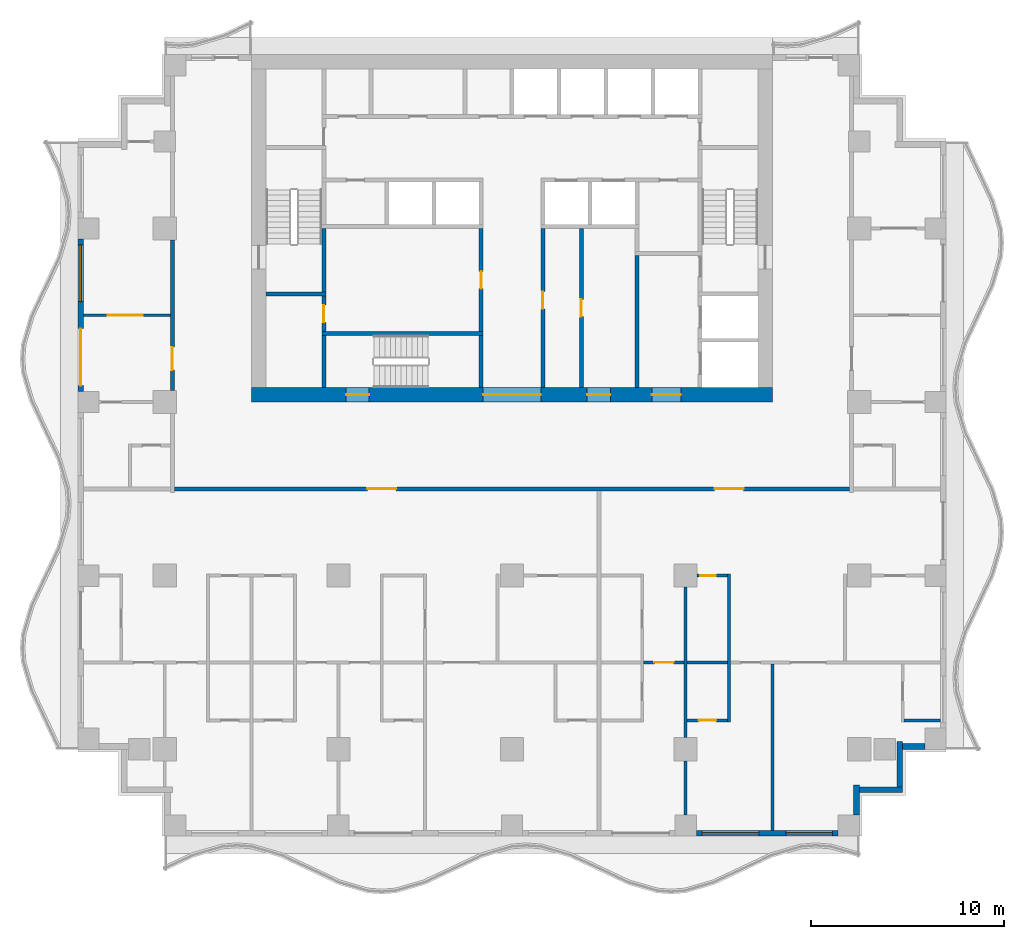
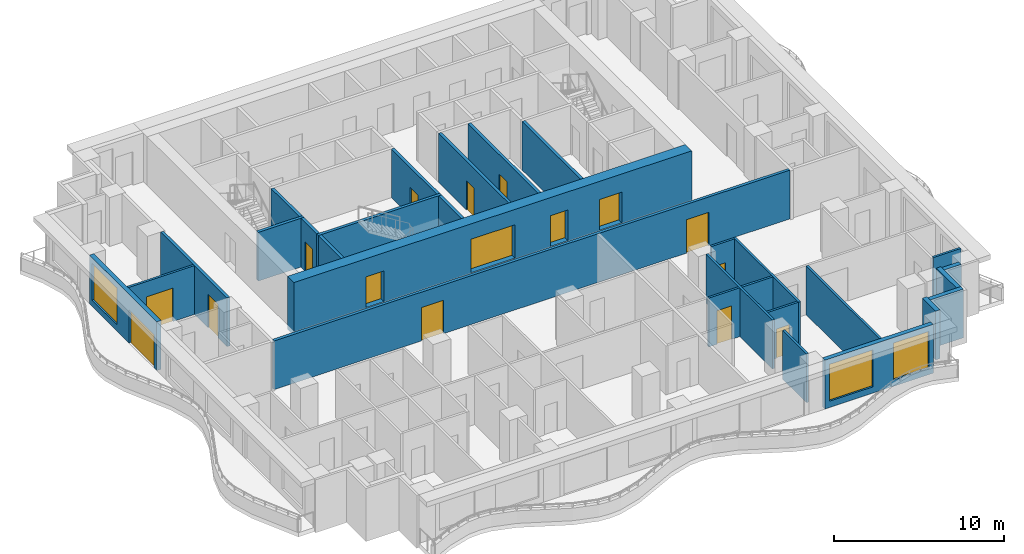
# One storey, part 3 of 10: 29 walls, 16 doors, 3 windows, 19 openings.
"""IFC4 building model written with IfcOpenShell, lengths in metres."""

import ifcopenshell
import ifcopenshell.guid

model = None  # the IFC model being written
_history = None  # IfcOwnerHistory: only IFC2X3 demands one
_inside = {}  # id of a spatial element -> (the spatial element, [elements in it])
_under = {}  # id of a project, library or spatial element -> (it, [spatial elements below it])
_declared = {}  # id of a project -> (the project, [libraries it declares])
_typed = {}  # id of a type object -> (the type object, [elements of that type])
_made_of = {}  # id of a material, layer set ... -> (it, [elements and type objects made of it])


def new_model(schema):
    """Start an empty IFC model of exactly this schema.

    Asked for "IFC4X3", IfcOpenShell would pick the latest addendum, in which some entities
    have other attributes; the version numbers below select the first issue.
    IFC2X3 requires an IfcOwnerHistory on every rooted entity: one is made here for all.
    """
    global model, _history
    if schema == "IFC4X3":
        model = ifcopenshell.file(schema_version=(4, 3, 0, 0))
    else:
        model = ifcopenshell.file(schema=schema)
    _inside.clear()
    _under.clear()
    _declared.clear()
    _typed.clear()
    _made_of.clear()
    _history = None
    if model.schema == "IFC2X3":
        org = make("IfcOrganization", Name="unknown")
        user = make(
            "IfcPersonAndOrganization",
            ThePerson=make("IfcPerson", FamilyName="unknown"),
            TheOrganization=org,
        )
        app = make(
            "IfcApplication",
            ApplicationDeveloper=org,
            Version="unknown",
            ApplicationFullName="unknown",
            ApplicationIdentifier="unknown",
        )
        _history = make(
            "IfcOwnerHistory",
            OwningUser=user,
            OwningApplication=app,
            ChangeAction="ADDED",
            CreationDate=0,
        )
    return model


def make(cls, **values):
    """One entity of the class cls with the attributes given. An attribute that is None is left unset."""
    return model.create_entity(
        cls, **{name: value for name, value in values.items() if value is not None}
    )


def rooted(cls, **values):
    """An entity with a GlobalId (a new one), such as an element, a storey or a relation."""
    return make(cls, GlobalId=ifcopenshell.guid.new(), OwnerHistory=_history, **values)


def si_unit(unit_type, name, prefix=None):
    """IfcSIUnit, for example si_unit("LENGTHUNIT", "METRE", prefix="MILLI")."""
    return make("IfcSIUnit", UnitType=unit_type, Prefix=prefix, Name=name)


def assignment(units):
    """IfcUnitAssignment: the units of a project."""
    return None if units is None else make("IfcUnitAssignment", Units=units)


def point(xyz):
    """IfcCartesianPoint."""
    return None if xyz is None else make("IfcCartesianPoint", Coordinates=xyz)


def direction(xyz):
    """IfcDirection."""
    return None if xyz is None else make("IfcDirection", DirectionRatios=xyz)


def frame(location, z_axis=None, x_axis=None):
    """IfcAxis2Placement3D, a coordinate frame: its origin and axes. An axis left out is left unset."""
    return make(
        "IfcAxis2Placement3D",
        Location=point(location),
        Axis=direction(z_axis),
        RefDirection=direction(x_axis),
    )


def frame_2d(location, x_axis=None):
    """IfcAxis2Placement2D, a coordinate frame in the plane: its origin and x axis."""
    return make(
        "IfcAxis2Placement2D", Location=point(location), RefDirection=direction(x_axis)
    )


def origin():
    """The frame at (0, 0, 0) with its axes left unset."""
    return frame((0.0, 0.0, 0.0))


def place(relative_to, where):
    """IfcLocalPlacement: puts the frame where relative to a parent placement (None: the world)."""
    return make(
        "IfcLocalPlacement", PlacementRelTo=relative_to, RelativePlacement=where
    )


def context(
    kind, dimensions, precision=None, world=None, true_north=None, identifier=None
):
    """IfcGeometricRepresentationContext, for example the 3D "Model" context."""
    return make(
        "IfcGeometricRepresentationContext",
        ContextIdentifier=identifier,
        ContextType=kind,
        CoordinateSpaceDimension=dimensions,
        Precision=precision,
        WorldCoordinateSystem=world,
        TrueNorth=true_north,
    )


def subcontext(parent, identifier, kind, view, scale=None):
    """IfcGeometricRepresentationSubContext, for example "Body" below "Model"."""
    return make(
        "IfcGeometricRepresentationSubContext",
        ContextIdentifier=identifier,
        ContextType=kind,
        ParentContext=parent,
        TargetScale=scale,
        TargetView=view,
    )


def project(units=None, contexts=None):
    """IfcProject with its units and contexts."""
    return rooted(
        "IfcProject",
        Name="project",
        RepresentationContexts=contexts,
        UnitsInContext=assignment(units),
    )


def spatial(cls, under=None, at=None, **own):
    """A site, building, storey or space (cls), placed at a placement, below another one or the project."""
    s = rooted(cls, ObjectPlacement=at, **own)
    if under is not None:
        _under.setdefault(under.id(), (under, []))[1].append(s)
    return s


def profile(cls, at=None, kind="AREA", **sizes):
    """A parametric profile (cls). Its sizes go by their IFC names, for example OverallWidth=200.0."""
    return make(cls, ProfileType=kind, Position=at, **sizes)


def rectangle(**sizes):
    """IfcRectangleProfileDef."""
    return profile("IfcRectangleProfileDef", **sizes)


def extrude(swept, where, along, depth):
    """IfcExtrudedAreaSolid: the profile swept, set in the frame where, extruded along a direction by depth."""
    return make(
        "IfcExtrudedAreaSolid",
        SweptArea=swept,
        Position=where,
        ExtrudedDirection=direction(along),
        Depth=depth,
    )


def shape(context_of_items, identifier, shape_type, items):
    """IfcShapeRepresentation: the items that make up one representation, for example the "Body"."""
    return make(
        "IfcShapeRepresentation",
        ContextOfItems=context_of_items,
        RepresentationIdentifier=identifier,
        RepresentationType=shape_type,
        Items=items,
    )


def material(Name=None, Category=None):
    """IfcMaterial."""
    return make("IfcMaterial", Name=Name, Category=Category)


def layer(
    of_material, thickness, ventilated=None, Name=None, Category=None, Priority=None
):
    """IfcMaterialLayer: one layer of a wall or slab, of a material (None: an air gap)."""
    return make(
        "IfcMaterialLayer",
        Material=of_material,
        LayerThickness=thickness,
        IsVentilated=ventilated,
        Name=Name,
        Category=Category,
        Priority=Priority,
    )


def layer_set(layers, Name=None):
    """IfcMaterialLayerSet."""
    return make("IfcMaterialLayerSet", MaterialLayers=layers, LayerSetName=Name)


def made_of(thing, what):
    """Note that an element or type object is made of a material, layer set ...; save() writes the relation."""
    if what is not None:
        _made_of.setdefault(what.id(), (what, []))[1].append(thing)
    return thing


def type_object(cls, material=None, **own):
    """A type object (cls), such as IfcWallType, which elements share."""
    return made_of(rooted(cls, **own), material)


def element(
    cls,
    number,
    at=None,
    inside=None,
    cuts=None,
    type_object=None,
    material=None,
    context=None,
    identifier="Body",
    shape_type=None,
    held_by="IfcProductDefinitionShape",
    body=None,
    shapes=None,
    **own,
):
    """One element of the class cls, such as IfcWall. Its Tag is "e" and its number.

    at: its placement. inside: the storey or other place that contains it. cuts: it is an
    opening in that element (IfcRelVoidsElement). A single representation is given by context,
    identifier, shape_type and body (its items); several are given by shapes. held_by: the class
    of the entity that holds the representations. save() writes the other relations.
    """
    e = rooted(cls, Tag="e%d" % number, ObjectPlacement=at, **own)
    if body is not None:
        shapes = [shape(context, identifier, shape_type, body)]
    if shapes is not None:
        e.Representation = make(held_by, Representations=shapes)
    if inside is not None:
        _inside.setdefault(inside.id(), (inside, []))[1].append(e)
    if cuts is not None:
        rooted(
            "IfcRelVoidsElement", RelatingBuildingElement=cuts, RelatedOpeningElement=e
        )
    if type_object is not None:
        _typed.setdefault(type_object.id(), (type_object, []))[1].append(e)
    return made_of(e, material)


def fill(opening, filler):
    """IfcRelFillsElement: the door or window that sits in an opening."""
    return rooted(
        "IfcRelFillsElement",
        RelatingOpeningElement=opening,
        RelatedBuildingElement=filler,
    )


def aggregate(whole, parts):
    """IfcRelAggregates: a whole, such as a stair, and the parts it consists of."""
    return rooted("IfcRelAggregates", RelatingObject=whole, RelatedObjects=parts)


def save(model, path):
    """Write the relations noted so far, then the file.

    IfcRelAggregates (storeys below a building ...), IfcRelContainedInSpatialStructure (elements
    in a storey), IfcRelDefinesByType, IfcRelAssociatesMaterial and IfcRelDeclares: one each for
    every whole, place, type object, material and project.
    """
    for whole, parts in _under.values():
        aggregate(whole, parts)
    for where, things in _inside.values():
        rooted(
            "IfcRelContainedInSpatialStructure",
            RelatedElements=things,
            RelatingStructure=where,
        )
    for kind, things in _typed.values():
        rooted("IfcRelDefinesByType", RelatedObjects=things, RelatingType=kind)
    for what, things in _made_of.values():
        rooted("IfcRelAssociatesMaterial", RelatedObjects=things, RelatingMaterial=what)
    for by, libraries in _declared.values():
        rooted("IfcRelDeclares", RelatingContext=by, RelatedDefinitions=libraries)
    model.write(path)


model = new_model("IFC4")

# Units and contexts
model_context = context("Model", 3, precision=1e-05, world=origin(), true_north=direction((0.0, 1.0)))
body_context = subcontext(model_context, "Body", "Model", "MODEL_VIEW")
ifc_project = project(units=[si_unit("LENGTHUNIT", "METRE"), si_unit("AREAUNIT", "SQUARE_METRE"), si_unit("VOLUMEUNIT", "CUBIC_METRE"), si_unit("PLANEANGLEUNIT", "RADIAN"), si_unit("MASSUNIT", "GRAM", prefix="KILO")], contexts=[model_context])

# Site, building, storey
site_placement = place(None, origin())
site = spatial("IfcSite", under=ifc_project, at=site_placement, CompositionType="ELEMENT")
building_placement = place(site_placement, origin())
building = spatial("IfcBuilding", under=site, at=building_placement, Name="Orbiselva Terraces", CompositionType="ELEMENT")
storey_placement = place(building_placement, frame((0.0, 0.0, 159.2)))
storey = spatial("IfcBuildingStorey", under=building, at=storey_placement, Name="L40", CompositionType="ELEMENT", Elevation=159.2)

# Wall, openings, doors
ifc_material_1 = material(Name="Concrete C80/95", Category="concrete")
ifc_layer_1 = layer(ifc_material_1, 0.75)
ifc_layer_set_1 = layer_set([ifc_layer_1], Name="Concrete C80/95")
wall_type_1 = type_object("IfcWallType", Name="CORE WALL 750", PredefinedType="SHEAR", material=ifc_layer_set_1)
wall_1_placement = place(storey_placement, frame((-13.5, 4.875, -0.3), z_axis=(0.0, 0.0, 1.0), x_axis=(1.0, 0.0, 0.0)))
wall_1 = element("IfcWall", 1, at=wall_1_placement, inside=storey, type_object=wall_type_1, Name="Core wall L40 south", PredefinedType="SHEAR", context=body_context, shape_type="SweptSolid", body=[
    extrude(rectangle(XDim=27.0, YDim=0.75, at=frame_2d((13.5, 0.0))), origin(), (0.0, 0.0, 1.0), 3.8),
])
opening_1_placement = place(wall_1_placement, frame((12.0, 0.0, 0.3)))
opening_1 = element("IfcOpeningElement", 2, at=opening_1_placement, cuts=wall_1, Name="Opening DL3000", PredefinedType="OPENING", context=body_context, shape_type="SweptSolid", body=[
    extrude(rectangle(XDim=3.0, YDim=2.4, at=frame_2d((1.5, 1.2))), frame((0.0, 0.385, 0.0), z_axis=(0.0, -1.0, 0.0), x_axis=(1.0, 0.0, 0.0)), (0.0, 0.0, 1.0), 0.77),
])
opening_2_placement = place(wall_1_placement, frame((4.9, 0.0, 0.3)))
opening_2 = element("IfcOpeningElement", 3, at=opening_2_placement, cuts=wall_1, Name="Opening DS1200", PredefinedType="OPENING", context=body_context, shape_type="SweptSolid", body=[
    extrude(rectangle(XDim=1.2, YDim=2.2, at=frame_2d((0.6, 1.1))), frame((0.0, 0.385, 0.0), z_axis=(0.0, -1.0, 0.0), x_axis=(1.0, 0.0, 0.0)), (0.0, 0.0, 1.0), 0.77),
])
opening_3_placement = place(wall_1_placement, frame((20.75, 0.0, 0.3)))
opening_3 = element("IfcOpeningElement", 4, at=opening_3_placement, cuts=wall_1, Name="Opening DF1500", PredefinedType="OPENING", context=body_context, shape_type="SweptSolid", body=[
    extrude(rectangle(XDim=1.5, YDim=2.2, at=frame_2d((0.75, 1.1))), frame((0.0, 0.385, 0.0), z_axis=(0.0, -1.0, 0.0), x_axis=(1.0, 0.0, 0.0)), (0.0, 0.0, 1.0), 0.77),
])
opening_4_placement = place(wall_1_placement, frame((17.4, 0.0, 0.3)))
opening_4 = element("IfcOpeningElement", 5, at=opening_4_placement, cuts=wall_1, Name="Opening DV1200", PredefinedType="OPENING", context=body_context, shape_type="SweptSolid", body=[
    extrude(rectangle(XDim=1.2, YDim=2.2, at=frame_2d((0.6, 1.1))), frame((0.0, 0.385, 0.0), z_axis=(0.0, -1.0, 0.0), x_axis=(1.0, 0.0, 0.0)), (0.0, 0.0, 1.0), 0.77),
])
ifc_material_2 = material(Name="Steel fire door", Category="steel")
door_type_1 = type_object("IfcDoorType", Name="FFL DOOR 1500", OperationType="DOUBLE_DOOR_SINGLE_SWING", PredefinedType="DOOR", material=ifc_material_2)
door_1_placement = place(opening_3_placement, frame((1.5, 0.0, 0.0), z_axis=(0.0, 0.0, 1.0), x_axis=(-1.0, 0.0, 0.0)))
door_1 = element("IfcDoor", 6, at=door_1_placement, inside=storey, type_object=door_type_1, Name="L40 FIRE-FIGHTING LOBBY door", OperationType="DOUBLE_DOOR_SINGLE_SWING", OverallHeight=2.2, OverallWidth=1.5, PredefinedType="DOOR", context=body_context, shape_type="SweptSolid", body=[
    extrude(rectangle(XDim=1.5, YDim=2.2, at=frame_2d((0.75, 1.1))), frame((0.0, 0.025, 0.0), z_axis=(0.0, -1.0, 0.0), x_axis=(1.0, 0.0, 0.0)), (0.0, 0.0, 1.0), 0.05),
])
fill(opening_3, door_1)
door_type_2 = type_object("IfcDoorType", Name="LOBBY DOOR 3000", OperationType="DOUBLE_DOOR_SINGLE_SWING", PredefinedType="DOOR", material=ifc_material_2)
door_2_placement = place(opening_1_placement, frame((3.0, 0.0, 0.0), z_axis=(0.0, 0.0, 1.0), x_axis=(-1.0, 0.0, 0.0)))
door_2 = element("IfcDoor", 7, at=door_2_placement, inside=storey, type_object=door_type_2, Name="L40 LIFT LOBBY door", OperationType="DOUBLE_DOOR_SINGLE_SWING", OverallHeight=2.4, OverallWidth=3.0, PredefinedType="DOOR", context=body_context, shape_type="SweptSolid", body=[
    extrude(rectangle(XDim=3.0, YDim=2.4, at=frame_2d((1.5, 1.2))), frame((0.0, 0.025, 0.0), z_axis=(0.0, -1.0, 0.0), x_axis=(1.0, 0.0, 0.0)), (0.0, 0.0, 1.0), 0.05),
])
fill(opening_1, door_2)
door_type_3 = type_object("IfcDoorType", Name="SERVICE DOOR 1200", OperationType="NOTDEFINED", PredefinedType="DOOR", material=ifc_material_2)
door_3_placement = place(opening_4_placement, frame((1.2, 0.0, 0.0), z_axis=(0.0, 0.0, 1.0), x_axis=(-1.0, 0.0, 0.0)))
door_3 = element("IfcDoor", 8, at=door_3_placement, inside=storey, type_object=door_type_3, Name="L40 SERVICE ROOM door", OperationType="SINGLE_SWING_RIGHT", OverallHeight=2.2, OverallWidth=1.2, PredefinedType="DOOR", context=body_context, shape_type="SweptSolid", body=[
    extrude(rectangle(XDim=1.2, YDim=2.2, at=frame_2d((0.6, 1.1))), frame((0.0, 0.025, 0.0), z_axis=(0.0, -1.0, 0.0), x_axis=(1.0, 0.0, 0.0)), (0.0, 0.0, 1.0), 0.05),
])
fill(opening_4, door_3)
door_type_4 = type_object("IfcDoorType", Name="STAIR DOOR 1200", OperationType="NOTDEFINED", PredefinedType="DOOR", material=ifc_material_2)
door_4_placement = place(opening_2_placement, frame((1.2, 0.0, 0.0), z_axis=(0.0, 0.0, 1.0), x_axis=(-1.0, 0.0, 0.0)))
door_4 = element("IfcDoor", 9, at=door_4_placement, inside=storey, type_object=door_type_4, Name="L40 EXIT STAIR S3 door", OperationType="SINGLE_SWING_LEFT", OverallHeight=2.2, OverallWidth=1.2, PredefinedType="DOOR", context=body_context, shape_type="SweptSolid", body=[
    extrude(rectangle(XDim=1.2, YDim=2.2, at=frame_2d((0.6, 1.1))), frame((0.0, 0.025, 0.0), z_axis=(0.0, -1.0, 0.0), x_axis=(1.0, 0.0, 0.0)), (0.0, 0.0, 1.0), 0.05),
])
fill(opening_2, door_4)

# Wall, opening, door
ifc_material_3 = material(Name="Masonry blockwork", Category="masonry")
ifc_layer_2 = layer(ifc_material_3, 0.2)
ifc_layer_set_2 = layer_set([ifc_layer_2], Name="Masonry blockwork")
wall_type_2 = type_object("IfcWallType", Name="CORE-WALL-PARTITION-200", PredefinedType="PARTITIONING", material=ifc_layer_set_2)
wall_2_placement = place(storey_placement, frame((-9.75, 8.15, 0.0), z_axis=(0.0, 0.0, 1.0), x_axis=(0.0, 1.0, 0.0)))
wall_2 = element("IfcWall", 10, at=wall_2_placement, inside=storey, type_object=wall_type_2, Name="L40 core wall 05", PredefinedType="PARTITIONING", context=body_context, shape_type="SweptSolid", body=[
    extrude(rectangle(XDim=1.85, YDim=0.2, at=frame_2d((0.925, 0.0))), origin(), (0.0, 0.0, 1.0), 3.5),
])
opening_5_placement = place(wall_2_placement, frame((0.475, 0.0, 0.0)))
opening_5 = element("IfcOpeningElement", 11, at=opening_5_placement, cuts=wall_2, Name="Opening DR900", PredefinedType="OPENING", context=body_context, shape_type="SweptSolid", body=[
    extrude(rectangle(XDim=0.9, YDim=2.1, at=frame_2d((0.45, 1.05))), frame((0.0, 0.11, 0.0), z_axis=(0.0, -1.0, 0.0), x_axis=(1.0, 0.0, 0.0)), (0.0, 0.0, 1.0), 0.22),
])
door_type_5 = type_object("IfcDoorType", Name="ROOM DOOR 900", OperationType="NOTDEFINED", PredefinedType="DOOR", material=ifc_material_2)
door_5_placement = place(opening_5_placement, origin())
door_5 = element("IfcDoor", 12, at=door_5_placement, inside=storey, type_object=door_type_5, Name="L40 ACCESSIBLE WC door", OperationType="SINGLE_SWING_RIGHT", OverallHeight=2.1, OverallWidth=0.9, PredefinedType="DOOR", context=body_context, shape_type="SweptSolid", body=[
    extrude(rectangle(XDim=0.9, YDim=2.1, at=frame_2d((0.45, 1.05))), frame((0.0, 0.025, 0.0), z_axis=(0.0, -1.0, 0.0), x_axis=(1.0, 0.0, 0.0)), (0.0, 0.0, 1.0), 0.05),
])
fill(opening_5, door_5)

wall_3_placement = place(storey_placement, frame((3.6, 13.5, 0.0), z_axis=(0.0, 0.0, 1.0), x_axis=(0.0, -1.0, 0.0)))
wall_3 = element("IfcWall", 13, at=wall_3_placement, inside=storey, type_object=wall_type_2, Name="L40 core wall 27", PredefinedType="PARTITIONING", context=body_context, shape_type="SweptSolid", body=[
    extrude(rectangle(XDim=8.25, YDim=0.2, at=frame_2d((4.125, 0.0))), origin(), (0.0, 0.0, 1.0), 3.5),
])
opening_6_placement = place(wall_3_placement, frame((3.675, 0.0, 0.0)))
opening_6 = element("IfcOpeningElement", 14, at=opening_6_placement, cuts=wall_3, Name="Opening DR900", PredefinedType="OPENING", context=body_context, shape_type="SweptSolid", body=[
    extrude(rectangle(XDim=0.9, YDim=2.1, at=frame_2d((0.45, 1.05))), frame((0.0, 0.11, 0.0), z_axis=(0.0, -1.0, 0.0), x_axis=(1.0, 0.0, 0.0)), (0.0, 0.0, 1.0), 0.22),
])
door_6_placement = place(opening_6_placement, origin())
door_6 = element("IfcDoor", 15, at=door_6_placement, inside=storey, type_object=door_type_5, Name="L40 SERVICE ROOM door", OperationType="SINGLE_SWING_RIGHT", OverallHeight=2.1, OverallWidth=0.9, PredefinedType="DOOR", context=body_context, shape_type="SweptSolid", body=[
    extrude(rectangle(XDim=0.9, YDim=2.1, at=frame_2d((0.45, 1.05))), frame((0.0, 0.025, 0.0), z_axis=(0.0, -1.0, 0.0), x_axis=(1.0, 0.0, 0.0)), (0.0, 0.0, 1.0), 0.05),
])
fill(opening_6, door_6)

# Walls
ifc_material_4 = material(Name="Concrete C60/75", Category="concrete")
ifc_layer_3 = layer(ifc_material_4, 0.2)
ifc_layer_set_3 = layer_set([ifc_layer_3], Name="Concrete C60/75")
wall_type_3 = type_object("IfcWallType", Name="CORE-WALL-SHEAR-200", PredefinedType="SHEAR", material=ifc_layer_set_3)
wall_4_placement = place(storey_placement, frame((-12.75, 10.1, 0.0), z_axis=(0.0, 0.0, 1.0), x_axis=(1.0, 0.0, 0.0)))
element("IfcWall", 16, at=wall_4_placement, inside=storey, type_object=wall_type_3, Name="L40 core wall 01", PredefinedType="SHEAR", context=body_context, shape_type="SweptSolid", body=[
    extrude(rectangle(XDim=3.1, YDim=0.2, at=frame_2d((1.55, 0.0))), origin(), (0.0, 0.0, 1.0), 3.5),
])
wall_5_placement = place(storey_placement, frame((-9.75, 5.25, 0.0), z_axis=(0.0, 0.0, 1.0), x_axis=(0.0, 1.0, 0.0)))
element("IfcWall", 17, at=wall_5_placement, inside=storey, type_object=wall_type_3, Name="L40 core wall 03", PredefinedType="SHEAR", context=body_context, shape_type="SweptSolid", body=[
    extrude(rectangle(XDim=2.7, YDim=0.2, at=frame_2d((1.35, 0.0))), origin(), (0.0, 0.0, 1.0), 3.5),
])
wall_6_placement = place(storey_placement, frame((-9.85, 8.05, 0.0), z_axis=(0.0, 0.0, 1.0), x_axis=(1.0, 0.0, 0.0)))
element("IfcWall", 18, at=wall_6_placement, inside=storey, type_object=wall_type_3, Name="L40 core wall 04", PredefinedType="SHEAR", context=body_context, shape_type="SweptSolid", body=[
    extrude(rectangle(XDim=8.35, YDim=0.2, at=frame_2d((4.175, 0.0))), origin(), (0.0, 0.0, 1.0), 3.5),
])
wall_7_placement = place(storey_placement, frame((-9.75, 10.2, 0.0), z_axis=(0.0, 0.0, 1.0), x_axis=(0.0, 1.0, 0.0)))
element("IfcWall", 19, at=wall_7_placement, inside=storey, type_object=wall_type_3, Name="L40 core wall 06", PredefinedType="SHEAR", context=body_context, shape_type="SweptSolid", body=[
    extrude(rectangle(XDim=3.3, YDim=0.2, at=frame_2d((1.65, 0.0))), origin(), (0.0, 0.0, 1.0), 3.5),
])
wall_8_placement = place(storey_placement, frame((-1.6, 5.25, 0.0), z_axis=(0.0, 0.0, 1.0), x_axis=(0.0, 1.0, 0.0)))
element("IfcWall", 20, at=wall_8_placement, inside=storey, type_object=wall_type_3, Name="L40 core wall 18", PredefinedType="SHEAR", context=body_context, shape_type="SweptSolid", body=[
    extrude(rectangle(XDim=2.7, YDim=0.2, at=frame_2d((1.35, 0.0))), origin(), (0.0, 0.0, 1.0), 3.5),
])

# Wall, opening, door
wall_9_placement = place(storey_placement, frame((-1.6, 8.15, 0.0), z_axis=(0.0, 0.0, 1.0), x_axis=(0.0, 1.0, 0.0)))
wall_9 = element("IfcWall", 21, at=wall_9_placement, inside=storey, type_object=wall_type_3, Name="L40 core wall 19", PredefinedType="SHEAR", context=body_context, shape_type="SweptSolid", body=[
    extrude(rectangle(XDim=5.35, YDim=0.2, at=frame_2d((2.675, 0.0))), origin(), (0.0, 0.0, 1.0), 3.5),
])
opening_7_placement = place(wall_9_placement, frame((2.225, 0.0, 0.0)))
opening_7 = element("IfcOpeningElement", 22, at=opening_7_placement, cuts=wall_9, Name="Opening DR900", PredefinedType="OPENING", context=body_context, shape_type="SweptSolid", body=[
    extrude(rectangle(XDim=0.9, YDim=2.1, at=frame_2d((0.45, 1.05))), frame((0.0, 0.11, 0.0), z_axis=(0.0, -1.0, 0.0), x_axis=(1.0, 0.0, 0.0)), (0.0, 0.0, 1.0), 0.22),
])
door_7_placement = place(opening_7_placement, origin())
door_7 = element("IfcDoor", 23, at=door_7_placement, inside=storey, type_object=door_type_5, Name="L40 LINEN STORE door", OperationType="SINGLE_SWING_RIGHT", OverallHeight=2.1, OverallWidth=0.9, PredefinedType="DOOR", context=body_context, shape_type="SweptSolid", body=[
    extrude(rectangle(XDim=0.9, YDim=2.1, at=frame_2d((0.45, 1.05))), frame((0.0, 0.025, 0.0), z_axis=(0.0, -1.0, 0.0), x_axis=(1.0, 0.0, 0.0)), (0.0, 0.0, 1.0), 0.05),
])
fill(opening_7, door_7)

wall_10_placement = place(storey_placement, frame((1.6, 13.5, 0.0), z_axis=(0.0, 0.0, 1.0), x_axis=(0.0, -1.0, 0.0)))
wall_10 = element("IfcWall", 24, at=wall_10_placement, inside=storey, type_object=wall_type_3, Name="L40 core wall 22", PredefinedType="SHEAR", context=body_context, shape_type="SweptSolid", body=[
    extrude(rectangle(XDim=8.25, YDim=0.2, at=frame_2d((4.125, 0.0))), origin(), (0.0, 0.0, 1.0), 3.5),
])
opening_8_placement = place(wall_10_placement, frame((3.275, 0.0, 0.0)))
opening_8 = element("IfcOpeningElement", 25, at=opening_8_placement, cuts=wall_10, Name="Opening DR900", PredefinedType="OPENING", context=body_context, shape_type="SweptSolid", body=[
    extrude(rectangle(XDim=0.9, YDim=2.1, at=frame_2d((0.45, 1.05))), frame((0.0, 0.11, 0.0), z_axis=(0.0, -1.0, 0.0), x_axis=(1.0, 0.0, 0.0)), (0.0, 0.0, 1.0), 0.22),
])
door_8_placement = place(opening_8_placement, origin())
door_8 = element("IfcDoor", 26, at=door_8_placement, inside=storey, type_object=door_type_5, Name="L40 COMMS ROOM door", OperationType="SINGLE_SWING_LEFT", OverallHeight=2.1, OverallWidth=0.9, PredefinedType="DOOR", context=body_context, shape_type="SweptSolid", body=[
    extrude(rectangle(XDim=0.9, YDim=2.1, at=frame_2d((0.45, 1.05))), frame((0.0, 0.025, 0.0), z_axis=(0.0, -1.0, 0.0), x_axis=(1.0, 0.0, 0.0)), (0.0, 0.0, 1.0), 0.05),
])
fill(opening_8, door_8)

# Wall
wall_11_placement = place(storey_placement, frame((6.475, 5.25, 0.0), z_axis=(0.0, 0.0, 1.0), x_axis=(0.0, 1.0, 0.0)))
element("IfcWall", 27, at=wall_11_placement, inside=storey, type_object=wall_type_3, Name="L40 core wall 30", PredefinedType="SHEAR", context=body_context, shape_type="SweptSolid", body=[
    extrude(rectangle(XDim=6.85, YDim=0.2, at=frame_2d((3.425, 0.0))), origin(), (0.0, 0.0, 1.0), 3.5),
])

# Wall, openings, windows
ifc_material_5 = material(Name="Terracotta cladding on masonry backing", Category="masonry")
ifc_layer_4 = layer(ifc_material_5, 0.3)
ifc_layer_set_4 = layer_set([ifc_layer_4], Name="Terracotta cladding on masonry backing")
wall_type_4 = type_object("IfcWallType", Name="ENV-WALL-TERRACOTTA-300", PredefinedType="SOLIDWALL", material=ifc_layer_set_4)
wall_12_placement = place(storey_placement, frame((16.9, -17.85, 0.0), z_axis=(0.0, 0.0, 1.0), x_axis=(-1.0, 0.0, 0.0)))
wall_12 = element("IfcWall", 28, at=wall_12_placement, inside=storey, type_object=wall_type_4, Name="Facade wall L40 S", PredefinedType="SOLIDWALL", context=body_context, shape_type="SweptSolid", body=[
    extrude(rectangle(XDim=7.35, YDim=0.3, at=frame_2d((3.675, 0.0))), origin(), (0.0, 0.0, 1.0), 3.5),
])
opening_9_placement = place(wall_12_placement, frame((4.1, 0.0, 0.45)))
opening_9 = element("IfcOpeningElement", 29, at=opening_9_placement, cuts=wall_12, Name="Opening WN12", PredefinedType="OPENING", context=body_context, shape_type="SweptSolid", body=[
    extrude(rectangle(XDim=2.95, YDim=2.65, at=frame_2d((1.475, 1.325))), frame((0.0, 0.16, 0.0), z_axis=(0.0, -1.0, 0.0), x_axis=(1.0, 0.0, 0.0)), (0.0, 0.0, 1.0), 0.32),
])
opening_10_placement = place(wall_12_placement, frame((0.3, 0.0, 0.45)))
opening_10 = element("IfcOpeningElement", 30, at=opening_10_placement, cuts=wall_12, Name="Opening WN11", PredefinedType="OPENING", context=body_context, shape_type="SweptSolid", body=[
    extrude(rectangle(XDim=2.4, YDim=2.65, at=frame_2d((1.2, 1.325))), frame((0.0, 0.16, 0.0), z_axis=(0.0, -1.0, 0.0), x_axis=(1.0, 0.0, 0.0)), (0.0, 0.0, 1.0), 0.32),
])
ifc_material_6 = material(Name="Clear low-e glazing in aluminium frame", Category="aluminium")
window_type_1 = type_object("IfcWindowType", Name="WINDOW 2400 X 2650 S450", PartitioningType="TRIPLE_PANEL_VERTICAL", PredefinedType="WINDOW", material=ifc_material_6)
window_1_placement = place(opening_10_placement, origin())
window_1 = element("IfcWindow", 31, at=window_1_placement, inside=storey, type_object=window_type_1, Name="Window L40 S", OverallHeight=2.65, OverallWidth=2.4, PartitioningType="SINGLE_PANEL", PredefinedType="WINDOW", context=body_context, shape_type="SweptSolid", body=[
    extrude(rectangle(XDim=2.4, YDim=2.65, at=frame_2d((1.2, 1.325))), frame((0.0, 0.03, 0.0), z_axis=(0.0, -1.0, 0.0), x_axis=(1.0, 0.0, 0.0)), (0.0, 0.0, 1.0), 0.06),
])
fill(opening_10, window_1)
window_type_2 = type_object("IfcWindowType", Name="WINDOW 2950 X 2650 S450", PartitioningType="TRIPLE_PANEL_VERTICAL", PredefinedType="WINDOW", material=ifc_material_6)
window_2_placement = place(opening_9_placement, origin())
window_2 = element("IfcWindow", 32, at=window_2_placement, inside=storey, type_object=window_type_2, Name="Window L40 S", OverallHeight=2.65, OverallWidth=2.95, PartitioningType="SINGLE_PANEL", PredefinedType="WINDOW", context=body_context, shape_type="SweptSolid", body=[
    extrude(rectangle(XDim=2.95, YDim=2.65, at=frame_2d((1.475, 1.325))), frame((0.0, 0.03, 0.0), z_axis=(0.0, -1.0, 0.0), x_axis=(1.0, 0.0, 0.0)), (0.0, 0.0, 1.0), 0.06),
])
fill(opening_9, window_2)

# Walls
wall_13_placement = place(storey_placement, frame((17.85, -15.35, 0.0), z_axis=(0.0, 0.0, 1.0), x_axis=(0.0, -1.0, 0.0)))
element("IfcWall", 33, at=wall_13_placement, inside=storey, type_object=wall_type_4, Name="Facade wall L40 STEP", PredefinedType="SOLIDWALL", context=body_context, shape_type="SweptSolid", body=[
    extrude(rectangle(XDim=1.55, YDim=0.3, at=frame_2d((0.775, 0.0))), origin(), (0.0, 0.0, 1.0), 3.5),
])
wall_14_placement = place(storey_placement, frame((20.25, -15.6, 0.0), z_axis=(0.0, 0.0, 1.0), x_axis=(-1.0, 0.0, 0.0)))
element("IfcWall", 34, at=wall_14_placement, inside=storey, type_object=wall_type_4, Name="Facade wall L40 STEP", PredefinedType="SOLIDWALL", context=body_context, shape_type="SweptSolid", body=[
    extrude(rectangle(XDim=2.25, YDim=0.3, at=frame_2d((1.125, 0.0))), origin(), (0.0, 0.0, 1.0), 3.5),
])
wall_15_placement = place(storey_placement, frame((20.1, -13.1, 0.0), z_axis=(0.0, 0.0, 1.0), x_axis=(0.0, -1.0, 0.0)))
element("IfcWall", 35, at=wall_15_placement, inside=storey, type_object=wall_type_4, Name="Facade wall L40 STEP", PredefinedType="SOLIDWALL", context=body_context, shape_type="SweptSolid", body=[
    extrude(rectangle(XDim=2.35, YDim=0.3, at=frame_2d((1.175, 0.0))), origin(), (0.0, 0.0, 1.0), 3.5),
])
wall_16_placement = place(storey_placement, frame((21.4, -13.35, 0.0), z_axis=(0.0, 0.0, 1.0), x_axis=(-1.0, 0.0, 0.0)))
element("IfcWall", 36, at=wall_16_placement, inside=storey, type_object=wall_type_4, Name="Facade wall L40 STEP", PredefinedType="SOLIDWALL", context=body_context, shape_type="SweptSolid", body=[
    extrude(rectangle(XDim=1.15, YDim=0.3, at=frame_2d((0.575, 0.0))), origin(), (0.0, 0.0, 1.0), 3.5),
])

# Wall, openings, door, window
wall_17_placement = place(storey_placement, frame((-22.35, 5.05, 0.0), z_axis=(0.0, 0.0, 1.0), x_axis=(0.0, 1.0, 0.0)))
wall_17 = element("IfcWall", 37, at=wall_17_placement, inside=storey, type_object=wall_type_4, Name="Facade wall L40 W", PredefinedType="SOLIDWALL", context=body_context, shape_type="SweptSolid", body=[
    extrude(rectangle(XDim=7.9, YDim=0.3, at=frame_2d((3.95, 0.0))), origin(), (0.0, 0.0, 1.0), 3.5),
])
opening_11_placement = place(wall_17_placement, frame((4.65, 0.0, 0.45)))
opening_11 = element("IfcOpeningElement", 38, at=opening_11_placement, cuts=wall_17, Name="Opening WN12", PredefinedType="OPENING", context=body_context, shape_type="SweptSolid", body=[
    extrude(rectangle(XDim=2.95, YDim=2.65, at=frame_2d((1.475, 1.325))), frame((0.0, 0.16, 0.0), z_axis=(0.0, -1.0, 0.0), x_axis=(1.0, 0.0, 0.0)), (0.0, 0.0, 1.0), 0.32),
])
opening_12_placement = place(wall_17_placement, frame((0.3, 0.0, 0.0)))
opening_12 = element("IfcOpeningElement", 39, at=opening_12_placement, cuts=wall_17, Name="Opening Z3-D-E07", PredefinedType="OPENING", context=body_context, shape_type="SweptSolid", body=[
    extrude(rectangle(XDim=2.95, YDim=2.4, at=frame_2d((1.475, 1.2))), frame((0.0, 0.16, 0.0), z_axis=(0.0, -1.0, 0.0), x_axis=(1.0, 0.0, 0.0)), (0.0, 0.0, 1.0), 0.32),
])
door_type_6 = type_object("IfcDoorType", Name="BALCONY DOOR 2950 X 2400", OperationType="DOUBLE_DOOR_SLIDING", PredefinedType="DOOR", material=ifc_material_6)
door_9_placement = place(opening_12_placement, origin())
door_9 = element("IfcDoor", 40, at=door_9_placement, inside=storey, type_object=door_type_6, Name="Z3-D-E07", OperationType="SINGLE_SWING_LEFT", OverallHeight=2.4, OverallWidth=2.95, PredefinedType="DOOR", context=body_context, shape_type="SweptSolid", body=[
    extrude(rectangle(XDim=2.95, YDim=2.4, at=frame_2d((1.475, 1.2))), frame((0.0, 0.025, 0.0), z_axis=(0.0, -1.0, 0.0), x_axis=(1.0, 0.0, 0.0)), (0.0, 0.0, 1.0), 0.05),
])
fill(opening_12, door_9)
window_3_placement = place(opening_11_placement, origin())
window_3 = element("IfcWindow", 41, at=window_3_placement, inside=storey, type_object=window_type_2, Name="Window L40 W", OverallHeight=2.65, OverallWidth=2.95, PartitioningType="SINGLE_PANEL", PredefinedType="WINDOW", context=body_context, shape_type="SweptSolid", body=[
    extrude(rectangle(XDim=2.95, YDim=2.65, at=frame_2d((1.475, 1.325))), frame((0.0, 0.03, 0.0), z_axis=(0.0, -1.0, 0.0), x_axis=(1.0, 0.0, 0.0)), (0.0, 0.0, 1.0), 0.06),
])
fill(opening_11, window_3)

# Wall, openings, doors
ifc_material_7 = material(Name="Plasterboard on steel stud partition", Category="steel")
ifc_layer_5 = layer(ifc_material_7, 0.2)
ifc_layer_set_5 = layer_set([ifc_layer_5], Name="Plasterboard on steel stud partition")
wall_type_5 = type_object("IfcWallType", Name="UNIT-ENTRANCE-WALL-200", PredefinedType="PARTITIONING", material=ifc_layer_set_5)
wall_18_placement = place(storey_placement, frame((17.5, 0.0, 0.0), z_axis=(0.0, 0.0, 1.0), x_axis=(-1.0, 0.0, 0.0)))
wall_18 = element("IfcWall", 42, at=wall_18_placement, inside=storey, type_object=wall_type_5, Name="PARTITION L40-025", PredefinedType="PARTITIONING", context=body_context, shape_type="SweptSolid", body=[
    extrude(rectangle(XDim=35.0, YDim=0.2, at=frame_2d((17.5, 0.0))), origin(), (0.0, 0.0, 1.0), 3.5),
])
opening_13_placement = place(wall_18_placement, frame((23.5, 0.0, 0.0)))
opening_13 = element("IfcOpeningElement", 43, at=opening_13_placement, cuts=wall_18, Name="Opening Z3-D-11", PredefinedType="OPENING", context=body_context, shape_type="SweptSolid", body=[
    extrude(rectangle(XDim=1.5, YDim=2.4, at=frame_2d((0.75, 1.2))), frame((0.0, 0.11, 0.0), z_axis=(0.0, -1.0, 0.0), x_axis=(1.0, 0.0, 0.0)), (0.0, 0.0, 1.0), 0.22),
])
opening_14_placement = place(wall_18_placement, frame((5.5, 0.0, 0.0)))
opening_14 = element("IfcOpeningElement", 44, at=opening_14_placement, cuts=wall_18, Name="Opening Z3-D-26", PredefinedType="OPENING", context=body_context, shape_type="SweptSolid", body=[
    extrude(rectangle(XDim=1.5, YDim=2.4, at=frame_2d((0.75, 1.2))), frame((0.0, 0.11, 0.0), z_axis=(0.0, -1.0, 0.0), x_axis=(1.0, 0.0, 0.0)), (0.0, 0.0, 1.0), 0.22),
])
ifc_material_8 = material(Name="Painted timber door leaf", Category="wood")
door_type_7 = type_object("IfcDoorType", Name="ENTRANCE DOUBLE DOOR 1500", OperationType="NOTDEFINED", PredefinedType="DOOR", material=ifc_material_8)
door_10_placement = place(opening_13_placement, origin())
door_10 = element("IfcDoor", 45, at=door_10_placement, inside=storey, type_object=door_type_7, Name="Z3-D-11", OperationType="DOUBLE_DOOR_SINGLE_SWING", OverallHeight=2.4, OverallWidth=1.5, PredefinedType="DOOR", context=body_context, shape_type="SweptSolid", body=[
    extrude(rectangle(XDim=1.5, YDim=2.4, at=frame_2d((0.75, 1.2))), frame((0.0, 0.025, 0.0), z_axis=(0.0, -1.0, 0.0), x_axis=(1.0, 0.0, 0.0)), (0.0, 0.0, 1.0), 0.05),
])
fill(opening_13, door_10)
door_11_placement = place(opening_14_placement, origin())
door_11 = element("IfcDoor", 46, at=door_11_placement, inside=storey, type_object=door_type_7, Name="Z3-D-26", OperationType="DOUBLE_DOOR_SINGLE_SWING", OverallHeight=2.4, OverallWidth=1.5, PredefinedType="DOOR", context=body_context, shape_type="SweptSolid", body=[
    extrude(rectangle(XDim=1.5, YDim=2.4, at=frame_2d((0.75, 1.2))), frame((0.0, 0.025, 0.0), z_axis=(0.0, -1.0, 0.0), x_axis=(1.0, 0.0, 0.0)), (0.0, 0.0, 1.0), 0.05),
])
fill(opening_14, door_11)

# Wall, opening, door
wall_19_placement = place(storey_placement, frame((-17.6, 5.1, 0.0), z_axis=(0.0, 0.0, 1.0), x_axis=(0.0, 1.0, 0.0)))
wall_19 = element("IfcWall", 47, at=wall_19_placement, inside=storey, type_object=wall_type_5, Name="PARTITION L40-041", PredefinedType="PARTITIONING", context=body_context, shape_type="SweptSolid", body=[
    extrude(rectangle(XDim=7.8, YDim=0.2, at=frame_2d((3.9, 0.0))), origin(), (0.0, 0.0, 1.0), 3.5),
])
opening_15_placement = place(wall_19_placement, frame((1.05, 0.0, 0.0)))
opening_15 = element("IfcOpeningElement", 48, at=opening_15_placement, cuts=wall_19, Name="Opening Z3-D-03", PredefinedType="OPENING", context=body_context, shape_type="SweptSolid", body=[
    extrude(rectangle(XDim=1.2, YDim=2.4, at=frame_2d((0.6, 1.2))), frame((0.0, 0.11, 0.0), z_axis=(0.0, -1.0, 0.0), x_axis=(1.0, 0.0, 0.0)), (0.0, 0.0, 1.0), 0.22),
])
door_type_8 = type_object("IfcDoorType", Name="ENTRANCE DOOR 1200", OperationType="NOTDEFINED", PredefinedType="DOOR", material=ifc_material_8)
door_12_placement = place(opening_15_placement, origin())
door_12 = element("IfcDoor", 49, at=door_12_placement, inside=storey, type_object=door_type_8, Name="Z3-D-03", OperationType="SINGLE_SWING_LEFT", OverallHeight=2.4, OverallWidth=1.2, PredefinedType="DOOR", context=body_context, shape_type="SweptSolid", body=[
    extrude(rectangle(XDim=1.2, YDim=2.4, at=frame_2d((0.6, 1.2))), frame((0.0, 0.025, 0.0), z_axis=(0.0, -1.0, 0.0), x_axis=(1.0, 0.0, 0.0)), (0.0, 0.0, 1.0), 0.05),
])
fill(opening_15, door_12)

ifc_layer_6 = layer(ifc_material_7, 0.15)
ifc_layer_set_6 = layer_set([ifc_layer_6], Name="Plasterboard on steel stud partition")
wall_type_6 = type_object("IfcWallType", Name="UNIT-PARTITION-150", PredefinedType="PARTITIONING", material=ifc_layer_set_6)
wall_20_placement = place(storey_placement, frame((9.075, -12.0, 0.0), z_axis=(0.0, 0.0, 1.0), x_axis=(1.0, 0.0, 0.0)))
wall_20 = element("IfcWall", 50, at=wall_20_placement, inside=storey, type_object=wall_type_6, Name="PARTITION L40-006", PredefinedType="PARTITIONING", context=body_context, shape_type="SweptSolid", body=[
    extrude(rectangle(XDim=2.1, YDim=0.15, at=frame_2d((1.05, 0.0))), origin(), (0.0, 0.0, 1.0), 3.5),
])
opening_16_placement = place(wall_20_placement, frame((0.6, 0.0, 0.0)))
opening_16 = element("IfcOpeningElement", 51, at=opening_16_placement, cuts=wall_20, Name="Opening Z3-D-33", PredefinedType="OPENING", context=body_context, shape_type="SweptSolid", body=[
    extrude(rectangle(XDim=0.9, YDim=2.1, at=frame_2d((0.45, 1.05))), frame((0.0, 0.085, 0.0), z_axis=(0.0, -1.0, 0.0), x_axis=(1.0, 0.0, 0.0)), (0.0, 0.0, 1.0), 0.17),
])
door_type_9 = type_object("IfcDoorType", Name="BATH DOOR 900", OperationType="NOTDEFINED", PredefinedType="DOOR", material=ifc_material_8)
door_13_placement = place(opening_16_placement, origin())
door_13 = element("IfcDoor", 52, at=door_13_placement, inside=storey, type_object=door_type_9, Name="Z3-D-33", OperationType="SINGLE_SWING_LEFT", OverallHeight=2.1, OverallWidth=0.9, PredefinedType="DOOR", context=body_context, shape_type="SweptSolid", body=[
    extrude(rectangle(XDim=0.9, YDim=2.1, at=frame_2d((0.45, 1.05))), frame((0.0, 0.025, 0.0), z_axis=(0.0, -1.0, 0.0), x_axis=(1.0, 0.0, 0.0)), (0.0, 0.0, 1.0), 0.05),
])
fill(opening_16, door_13)

# Wall
wall_21_placement = place(storey_placement, frame((20.325, -12.0, 0.0), z_axis=(0.0, 0.0, 1.0), x_axis=(1.0, 0.0, 0.0)))
element("IfcWall", 53, at=wall_21_placement, inside=storey, type_object=wall_type_6, Name="PARTITION L40-007", PredefinedType="PARTITIONING", context=body_context, shape_type="SweptSolid", body=[
    extrude(rectangle(XDim=1.875, YDim=0.15, at=frame_2d((0.9375, 0.0))), origin(), (0.0, 0.0, 1.0), 3.5),
])

# Wall, opening, door
wall_22_placement = place(storey_placement, frame((8.925, -9.0, 0.0), z_axis=(0.0, 0.0, 1.0), x_axis=(-1.0, 0.0, 0.0)))
wall_22 = element("IfcWall", 54, at=wall_22_placement, inside=storey, type_object=wall_type_6, Name="PARTITION L40-015", PredefinedType="PARTITIONING", context=body_context, shape_type="SweptSolid", body=[
    extrude(rectangle(XDim=2.1, YDim=0.15, at=frame_2d((1.05, 0.0))), origin(), (0.0, 0.0, 1.0), 3.5),
])
opening_17_placement = place(wall_22_placement, frame((0.55, 0.0, 0.0)))
opening_17 = element("IfcOpeningElement", 55, at=opening_17_placement, cuts=wall_22, Name="Opening Z3-D-30", PredefinedType="OPENING", context=body_context, shape_type="SweptSolid", body=[
    extrude(rectangle(XDim=1.0, YDim=2.4, at=frame_2d((0.5, 1.2))), frame((0.0, 0.085, 0.0), z_axis=(0.0, -1.0, 0.0), x_axis=(1.0, 0.0, 0.0)), (0.0, 0.0, 1.0), 0.17),
])
door_type_10 = type_object("IfcDoorType", Name="ROOM DOOR 1000", OperationType="NOTDEFINED", PredefinedType="DOOR", material=ifc_material_8)
door_14_placement = place(opening_17_placement, origin())
door_14 = element("IfcDoor", 56, at=door_14_placement, inside=storey, type_object=door_type_10, Name="Z3-D-30", OperationType="SINGLE_SWING_LEFT", OverallHeight=2.4, OverallWidth=1.0, PredefinedType="DOOR", context=body_context, shape_type="SweptSolid", body=[
    extrude(rectangle(XDim=1.0, YDim=2.4, at=frame_2d((0.5, 1.2))), frame((0.0, 0.025, 0.0), z_axis=(0.0, -1.0, 0.0), x_axis=(1.0, 0.0, 0.0)), (0.0, 0.0, 1.0), 0.05),
])
fill(opening_17, door_14)

# Wall
wall_23_placement = place(storey_placement, frame((9.075, -9.0, 0.0), z_axis=(0.0, 0.0, 1.0), x_axis=(1.0, 0.0, 0.0)))
element("IfcWall", 57, at=wall_23_placement, inside=storey, type_object=wall_type_6, Name="PARTITION L40-016", PredefinedType="PARTITIONING", context=body_context, shape_type="SweptSolid", body=[
    extrude(rectangle(XDim=2.1, YDim=0.15, at=frame_2d((1.05, 0.0))), origin(), (0.0, 0.0, 1.0), 3.5),
])

# Wall, opening, door
wall_24_placement = place(storey_placement, frame((11.175, -4.5, 0.0), z_axis=(0.0, 0.0, 1.0), x_axis=(-1.0, 0.0, 0.0)))
wall_24 = element("IfcWall", 58, at=wall_24_placement, inside=storey, type_object=wall_type_6, Name="PARTITION L40-023", PredefinedType="PARTITIONING", context=body_context, shape_type="SweptSolid", body=[
    extrude(rectangle(XDim=1.575, YDim=0.15, at=frame_2d((0.7875, 0.0))), origin(), (0.0, 0.0, 1.0), 3.5),
])
opening_18_placement = place(wall_24_placement, frame((0.625, 0.0, 0.0)))
opening_18 = element("IfcOpeningElement", 59, at=opening_18_placement, cuts=wall_24, Name="Opening Z3-D-28", PredefinedType="OPENING", context=body_context, shape_type="SweptSolid", body=[
    extrude(rectangle(XDim=0.8, YDim=2.0, at=frame_2d((0.4, 1.0))), frame((0.0, 0.085, 0.0), z_axis=(0.0, -1.0, 0.0), x_axis=(1.0, 0.0, 0.0)), (0.0, 0.0, 1.0), 0.17),
])
door_type_11 = type_object("IfcDoorType", Name="STORE DOOR 800", OperationType="NOTDEFINED", PredefinedType="DOOR", material=ifc_material_8)
door_15_placement = place(opening_18_placement, origin())
door_15 = element("IfcDoor", 60, at=door_15_placement, inside=storey, type_object=door_type_11, Name="Z3-D-28", OperationType="SINGLE_SWING_RIGHT", OverallHeight=2.0, OverallWidth=0.8, PredefinedType="DOOR", context=body_context, shape_type="SweptSolid", body=[
    extrude(rectangle(XDim=0.8, YDim=2.0, at=frame_2d((0.4, 1.0))), frame((0.0, 0.025, 0.0), z_axis=(0.0, -1.0, 0.0), x_axis=(1.0, 0.0, 0.0)), (0.0, 0.0, 1.0), 0.05),
])
fill(opening_18, door_15)

wall_25_placement = place(storey_placement, frame((-22.2, 9.0, 0.0), z_axis=(0.0, 0.0, 1.0), x_axis=(1.0, 0.0, 0.0)))
wall_25 = element("IfcWall", 61, at=wall_25_placement, inside=storey, type_object=wall_type_6, Name="PARTITION L40-032", PredefinedType="PARTITIONING", context=body_context, shape_type="SweptSolid", body=[
    extrude(rectangle(XDim=4.5, YDim=0.15, at=frame_2d((2.25, 0.0))), origin(), (0.0, 0.0, 1.0), 3.5),
])
opening_19_placement = place(wall_25_placement, frame((1.25, 0.0, 0.0)))
opening_19 = element("IfcOpeningElement", 62, at=opening_19_placement, cuts=wall_25, Name="Opening Z3-D-04", PredefinedType="OPENING", context=body_context, shape_type="SweptSolid", body=[
    extrude(rectangle(XDim=1.8, YDim=2.4, at=frame_2d((0.9, 1.2))), frame((0.0, 0.085, 0.0), z_axis=(0.0, -1.0, 0.0), x_axis=(1.0, 0.0, 0.0)), (0.0, 0.0, 1.0), 0.17),
])
door_type_12 = type_object("IfcDoorType", Name="DOUBLE DOOR 1800", OperationType="NOTDEFINED", PredefinedType="DOOR", material=ifc_material_8)
door_16_placement = place(opening_19_placement, origin())
door_16 = element("IfcDoor", 63, at=door_16_placement, inside=storey, type_object=door_type_12, Name="Z3-D-04", OperationType="DOUBLE_DOOR_SINGLE_SWING", OverallHeight=2.4, OverallWidth=1.8, PredefinedType="DOOR", context=body_context, shape_type="SweptSolid", body=[
    extrude(rectangle(XDim=1.8, YDim=2.4, at=frame_2d((0.9, 1.2))), frame((0.0, 0.025, 0.0), z_axis=(0.0, -1.0, 0.0), x_axis=(1.0, 0.0, 0.0)), (0.0, 0.0, 1.0), 0.05),
])
fill(opening_19, door_16)

# Walls
wall_26_placement = place(storey_placement, frame((9.0, -16.9, 0.0), z_axis=(0.0, 0.0, 1.0), x_axis=(0.0, 1.0, 0.0)))
element("IfcWall", 64, at=wall_26_placement, inside=storey, type_object=wall_type_6, Name="PARTITION L40-055", PredefinedType="PARTITIONING", context=body_context, shape_type="SweptSolid", body=[
    extrude(rectangle(XDim=2.8, YDim=0.15, at=frame_2d((1.4, 0.0))), origin(), (0.0, 0.0, 1.0), 3.5),
])
wall_27_placement = place(storey_placement, frame((9.0, -12.9, 0.0), z_axis=(0.0, 0.0, 1.0), x_axis=(0.0, 1.0, 0.0)))
element("IfcWall", 65, at=wall_27_placement, inside=storey, type_object=wall_type_6, Name="PARTITION L40-056", PredefinedType="PARTITIONING", context=body_context, shape_type="SweptSolid", body=[
    extrude(rectangle(XDim=7.8, YDim=0.15, at=frame_2d((3.9, 0.0))), origin(), (0.0, 0.0, 1.0), 3.5),
])
wall_28_placement = place(storey_placement, frame((11.25, -12.075, 0.0), z_axis=(0.0, 0.0, 1.0), x_axis=(0.0, 1.0, 0.0)))
element("IfcWall", 66, at=wall_28_placement, inside=storey, type_object=wall_type_6, Name="PARTITION L40-057", PredefinedType="PARTITIONING", context=body_context, shape_type="SweptSolid", body=[
    extrude(rectangle(XDim=7.65, YDim=0.15, at=frame_2d((3.825, 0.0))), origin(), (0.0, 0.0, 1.0), 3.5),
])
wall_29_placement = place(storey_placement, frame((13.5, -17.7, 0.0), z_axis=(0.0, 0.0, 1.0), x_axis=(0.0, 1.0, 0.0)))
element("IfcWall", 67, at=wall_29_placement, inside=storey, type_object=wall_type_6, Name="PARTITION L40-058", PredefinedType="PARTITIONING", context=body_context, shape_type="SweptSolid", body=[
    extrude(rectangle(XDim=8.625, YDim=0.15, at=frame_2d((4.3125, 0.0))), origin(), (0.0, 0.0, 1.0), 3.5),
])

save(model, "model.ifc")
